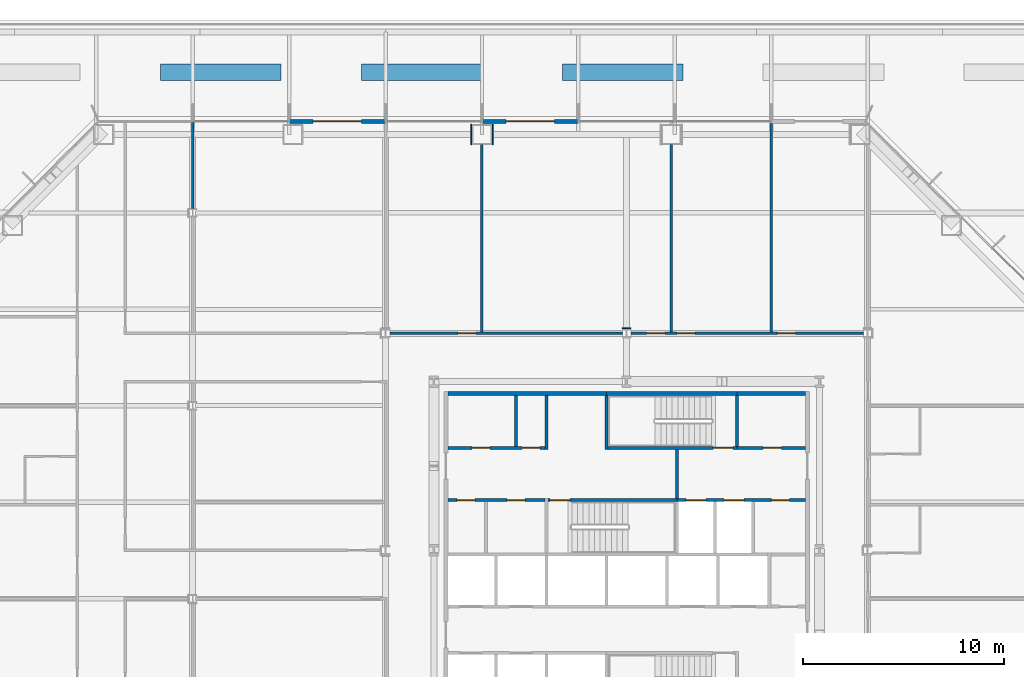
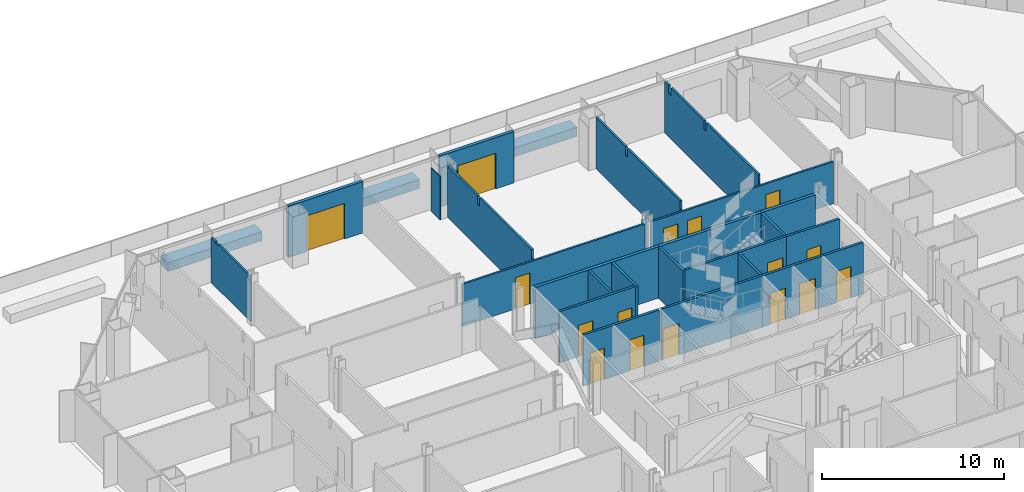
# One storey, part 14 of 18: 28 walls, 16 doors, 16 openings.
"""IFC4 building model written with IfcOpenShell, lengths in metres."""

import ifcopenshell
import ifcopenshell.guid

model = None  # the IFC model being written
_history = None  # IfcOwnerHistory: only IFC2X3 demands one
_inside = {}  # id of a spatial element -> (the spatial element, [elements in it])
_under = {}  # id of a project, library or spatial element -> (it, [spatial elements below it])
_declared = {}  # id of a project -> (the project, [libraries it declares])
_typed = {}  # id of a type object -> (the type object, [elements of that type])
_made_of = {}  # id of a material, layer set ... -> (it, [elements and type objects made of it])


def new_model(schema):
    """Start an empty IFC model of exactly this schema.

    Asked for "IFC4X3", IfcOpenShell would pick the latest addendum, in which some entities
    have other attributes; the version numbers below select the first issue.
    IFC2X3 requires an IfcOwnerHistory on every rooted entity: one is made here for all.
    """
    global model, _history
    if schema == "IFC4X3":
        model = ifcopenshell.file(schema_version=(4, 3, 0, 0))
    else:
        model = ifcopenshell.file(schema=schema)
    _inside.clear()
    _under.clear()
    _declared.clear()
    _typed.clear()
    _made_of.clear()
    _history = None
    if model.schema == "IFC2X3":
        org = make("IfcOrganization", Name="unknown")
        user = make(
            "IfcPersonAndOrganization",
            ThePerson=make("IfcPerson", FamilyName="unknown"),
            TheOrganization=org,
        )
        app = make(
            "IfcApplication",
            ApplicationDeveloper=org,
            Version="unknown",
            ApplicationFullName="unknown",
            ApplicationIdentifier="unknown",
        )
        _history = make(
            "IfcOwnerHistory",
            OwningUser=user,
            OwningApplication=app,
            ChangeAction="ADDED",
            CreationDate=0,
        )
    return model


def make(cls, **values):
    """One entity of the class cls with the attributes given. An attribute that is None is left unset."""
    return model.create_entity(
        cls, **{name: value for name, value in values.items() if value is not None}
    )


def rooted(cls, **values):
    """An entity with a GlobalId (a new one), such as an element, a storey or a relation."""
    return make(cls, GlobalId=ifcopenshell.guid.new(), OwnerHistory=_history, **values)


def si_unit(unit_type, name, prefix=None):
    """IfcSIUnit, for example si_unit("LENGTHUNIT", "METRE", prefix="MILLI")."""
    return make("IfcSIUnit", UnitType=unit_type, Prefix=prefix, Name=name)


def assignment(units):
    """IfcUnitAssignment: the units of a project."""
    return None if units is None else make("IfcUnitAssignment", Units=units)


def point(xyz):
    """IfcCartesianPoint."""
    return None if xyz is None else make("IfcCartesianPoint", Coordinates=xyz)


def direction(xyz):
    """IfcDirection."""
    return None if xyz is None else make("IfcDirection", DirectionRatios=xyz)


def frame(location, z_axis=None, x_axis=None):
    """IfcAxis2Placement3D, a coordinate frame: its origin and axes. An axis left out is left unset."""
    return make(
        "IfcAxis2Placement3D",
        Location=point(location),
        Axis=direction(z_axis),
        RefDirection=direction(x_axis),
    )


def frame_2d(location, x_axis=None):
    """IfcAxis2Placement2D, a coordinate frame in the plane: its origin and x axis."""
    return make(
        "IfcAxis2Placement2D", Location=point(location), RefDirection=direction(x_axis)
    )


def origin():
    """The frame at (0, 0, 0) with its axes left unset."""
    return frame((0.0, 0.0, 0.0))


def place(relative_to, where):
    """IfcLocalPlacement: puts the frame where relative to a parent placement (None: the world)."""
    return make(
        "IfcLocalPlacement", PlacementRelTo=relative_to, RelativePlacement=where
    )


def context(
    kind, dimensions, precision=None, world=None, true_north=None, identifier=None
):
    """IfcGeometricRepresentationContext, for example the 3D "Model" context."""
    return make(
        "IfcGeometricRepresentationContext",
        ContextIdentifier=identifier,
        ContextType=kind,
        CoordinateSpaceDimension=dimensions,
        Precision=precision,
        WorldCoordinateSystem=world,
        TrueNorth=true_north,
    )


def subcontext(parent, identifier, kind, view, scale=None):
    """IfcGeometricRepresentationSubContext, for example "Body" below "Model"."""
    return make(
        "IfcGeometricRepresentationSubContext",
        ContextIdentifier=identifier,
        ContextType=kind,
        ParentContext=parent,
        TargetScale=scale,
        TargetView=view,
    )


def project(units=None, contexts=None):
    """IfcProject with its units and contexts."""
    return rooted(
        "IfcProject",
        Name="project",
        RepresentationContexts=contexts,
        UnitsInContext=assignment(units),
    )


def spatial(cls, under=None, at=None, **own):
    """A site, building, storey or space (cls), placed at a placement, below another one or the project."""
    s = rooted(cls, ObjectPlacement=at, **own)
    if under is not None:
        _under.setdefault(under.id(), (under, []))[1].append(s)
    return s


def polyline(points):
    """IfcPolyline through the points."""
    return make("IfcPolyline", Points=[point(p) for p in points])


def profile(cls, at=None, kind="AREA", **sizes):
    """A parametric profile (cls). Its sizes go by their IFC names, for example OverallWidth=200.0."""
    return make(cls, ProfileType=kind, Position=at, **sizes)


def rectangle(**sizes):
    """IfcRectangleProfileDef."""
    return profile("IfcRectangleProfileDef", **sizes)


def outline(outer, holes=None, kind="AREA"):
    """IfcArbitraryClosedProfileDef: a profile drawn as a closed curve; with holes, ...WithVoids."""
    if holes is None:
        return make("IfcArbitraryClosedProfileDef", ProfileType=kind, OuterCurve=outer)
    return make(
        "IfcArbitraryProfileDefWithVoids",
        ProfileType=kind,
        OuterCurve=outer,
        InnerCurves=holes,
    )


def extrude(swept, where, along, depth):
    """IfcExtrudedAreaSolid: the profile swept, set in the frame where, extruded along a direction by depth."""
    return make(
        "IfcExtrudedAreaSolid",
        SweptArea=swept,
        Position=where,
        ExtrudedDirection=direction(along),
        Depth=depth,
    )


def shape(context_of_items, identifier, shape_type, items):
    """IfcShapeRepresentation: the items that make up one representation, for example the "Body"."""
    return make(
        "IfcShapeRepresentation",
        ContextOfItems=context_of_items,
        RepresentationIdentifier=identifier,
        RepresentationType=shape_type,
        Items=items,
    )


def material(Name=None, Category=None):
    """IfcMaterial."""
    return make("IfcMaterial", Name=Name, Category=Category)


def layer(
    of_material, thickness, ventilated=None, Name=None, Category=None, Priority=None
):
    """IfcMaterialLayer: one layer of a wall or slab, of a material (None: an air gap)."""
    return make(
        "IfcMaterialLayer",
        Material=of_material,
        LayerThickness=thickness,
        IsVentilated=ventilated,
        Name=Name,
        Category=Category,
        Priority=Priority,
    )


def layer_set(layers, Name=None):
    """IfcMaterialLayerSet."""
    return make("IfcMaterialLayerSet", MaterialLayers=layers, LayerSetName=Name)


def made_of(thing, what):
    """Note that an element or type object is made of a material, layer set ...; save() writes the relation."""
    if what is not None:
        _made_of.setdefault(what.id(), (what, []))[1].append(thing)
    return thing


def type_object(cls, material=None, **own):
    """A type object (cls), such as IfcWallType, which elements share."""
    return made_of(rooted(cls, **own), material)


def element(
    cls,
    number,
    at=None,
    inside=None,
    cuts=None,
    type_object=None,
    material=None,
    context=None,
    identifier="Body",
    shape_type=None,
    held_by="IfcProductDefinitionShape",
    body=None,
    shapes=None,
    **own,
):
    """One element of the class cls, such as IfcWall. Its Tag is "e" and its number.

    at: its placement. inside: the storey or other place that contains it. cuts: it is an
    opening in that element (IfcRelVoidsElement). A single representation is given by context,
    identifier, shape_type and body (its items); several are given by shapes. held_by: the class
    of the entity that holds the representations. save() writes the other relations.
    """
    e = rooted(cls, Tag="e%d" % number, ObjectPlacement=at, **own)
    if body is not None:
        shapes = [shape(context, identifier, shape_type, body)]
    if shapes is not None:
        e.Representation = make(held_by, Representations=shapes)
    if inside is not None:
        _inside.setdefault(inside.id(), (inside, []))[1].append(e)
    if cuts is not None:
        rooted(
            "IfcRelVoidsElement", RelatingBuildingElement=cuts, RelatedOpeningElement=e
        )
    if type_object is not None:
        _typed.setdefault(type_object.id(), (type_object, []))[1].append(e)
    return made_of(e, material)


def fill(opening, filler):
    """IfcRelFillsElement: the door or window that sits in an opening."""
    return rooted(
        "IfcRelFillsElement",
        RelatingOpeningElement=opening,
        RelatedBuildingElement=filler,
    )


def aggregate(whole, parts):
    """IfcRelAggregates: a whole, such as a stair, and the parts it consists of."""
    return rooted("IfcRelAggregates", RelatingObject=whole, RelatedObjects=parts)


def save(model, path):
    """Write the relations noted so far, then the file.

    IfcRelAggregates (storeys below a building ...), IfcRelContainedInSpatialStructure (elements
    in a storey), IfcRelDefinesByType, IfcRelAssociatesMaterial and IfcRelDeclares: one each for
    every whole, place, type object, material and project.
    """
    for whole, parts in _under.values():
        aggregate(whole, parts)
    for where, things in _inside.values():
        rooted(
            "IfcRelContainedInSpatialStructure",
            RelatedElements=things,
            RelatingStructure=where,
        )
    for kind, things in _typed.values():
        rooted("IfcRelDefinesByType", RelatedObjects=things, RelatingType=kind)
    for what, things in _made_of.values():
        rooted("IfcRelAssociatesMaterial", RelatedObjects=things, RelatingMaterial=what)
    for by, libraries in _declared.values():
        rooted("IfcRelDeclares", RelatingContext=by, RelatedDefinitions=libraries)
    model.write(path)


model = new_model("IFC4")

# Units and contexts
model_context = context("Model", 3, precision=1e-05, world=origin(), true_north=direction((0.0, 1.0)))
body_context = subcontext(model_context, "Body", "Model", "MODEL_VIEW")
ifc_project = project(units=[si_unit("LENGTHUNIT", "METRE"), si_unit("AREAUNIT", "SQUARE_METRE"), si_unit("VOLUMEUNIT", "CUBIC_METRE"), si_unit("PLANEANGLEUNIT", "RADIAN"), si_unit("MASSUNIT", "GRAM", prefix="KILO")], contexts=[model_context])

# Site, building, storey
site_placement = place(None, origin())
site = spatial("IfcSite", under=ifc_project, at=site_placement, CompositionType="ELEMENT")
building_placement = place(site_placement, origin())
building = spatial("IfcBuilding", under=site, at=building_placement, Name="Cairn Pilgrim Tower", CompositionType="ELEMENT")
storey_placement = place(building_placement, frame((0.0, 0.0, 40.199951171875)))
storey = spatial("IfcBuildingStorey", under=building, at=storey_placement, Name="L07", CompositionType="ELEMENT", Elevation=40.199951171875)

# Wall, opening, door
ifc_material_1 = material(Name="Bronze anodised aluminium insulated sandwich panel with mineral wool fill", Category="aluminium")
ifc_layer_1 = layer(ifc_material_1, 0.199951171875)
ifc_layer_set_1 = layer_set([ifc_layer_1], Name="BRONZE INFILL FRAME WALL 200")
wall_type_1 = type_object("IfcWallType", Name="BRONZE INFILL FRAME WALL 200", PredefinedType="NOTDEFINED", material=ifc_layer_set_1)
wall_1_placement = place(storey_placement, frame((4.77001953125, 23.75, 0.0), z_axis=(0.0, 0.0, 1.0), x_axis=(-1.0, 0.0, 0.0)))
wall_1 = element("IfcWall", 1, at=wall_1_placement, inside=storey, type_object=wall_type_1, Name="Bronze infill frame wall IW-N4", PredefinedType="NOTDEFINED", context=body_context, shape_type="SweptSolid", body=[
    extrude(rectangle(XDim=4.739990234375, YDim=0.199951171875, at=frame_2d((2.3701171875, 0.0))), origin(), (0.0, 0.0, 1.0), 3.449951171875),
])
opening_1_placement = place(wall_1_placement, frame((1.169921875, 0.0, 0.0)))
opening_1 = element("IfcOpeningElement", 2, at=opening_1_placement, cuts=wall_1, Name="Opening 0718B", PredefinedType="OPENING", context=body_context, shape_type="SweptSolid", body=[
    extrude(rectangle(XDim=2.39990234375, YDim=2.39990234375, at=frame_2d((1.199951171875, 1.199951171875))), frame((0.0, 0.10986328125, 0.0), z_axis=(0.0, -1.0, 0.0), x_axis=(1.0, 0.0, 0.0)), (0.0, 0.0, 1.0), 0.219970703125),
])
ifc_material_2 = material(Name="Bronze anodised aluminium frame with tinted low-E glass", Category="aluminium")
door_type_1 = type_object("IfcDoorType", Name="BALCONY SLIDING DOOR 2400x2400", OperationType="DOUBLE_DOOR_SLIDING", PredefinedType="DOOR", material=ifc_material_2)
door_1_placement = place(opening_1_placement, origin())
door_1 = element("IfcDoor", 3, at=door_1_placement, inside=storey, type_object=door_type_1, Name="Balcony sliding door 0718B", OperationType="SINGLE_SWING_LEFT", OverallHeight=2.39990234375, OverallWidth=2.39990234375, PredefinedType="DOOR", context=body_context, shape_type="SweptSolid", body=[
    extrude(rectangle(XDim=2.39990234375, YDim=2.39990234375, at=frame_2d((1.199951171875, 1.199951171875))), frame((0.0, 0.02490234375, 0.0), z_axis=(0.0, -1.0, 0.0), x_axis=(1.0, 0.0, 0.0)), (0.0, 0.0, 1.0), 0.050048828125),
])
fill(opening_1, door_1)

wall_2_placement = place(storey_placement, frame((-4.830078125, 23.75, 0.0), z_axis=(0.0, 0.0, 1.0), x_axis=(-1.0, 0.0, 0.0)))
wall_2 = element("IfcWall", 4, at=wall_2_placement, inside=storey, type_object=wall_type_1, Name="Bronze infill frame wall IW-N6", PredefinedType="NOTDEFINED", context=body_context, shape_type="SweptSolid", body=[
    extrude(rectangle(XDim=4.739990234375, YDim=0.199951171875, at=frame_2d((2.3701171875, 0.0))), origin(), (0.0, 0.0, 1.0), 3.449951171875),
])
opening_2_placement = place(wall_2_placement, frame((1.169921875, 0.0, 0.0)))
opening_2 = element("IfcOpeningElement", 5, at=opening_2_placement, cuts=wall_2, Name="Opening 0716B", PredefinedType="OPENING", context=body_context, shape_type="SweptSolid", body=[
    extrude(rectangle(XDim=2.39990234375, YDim=2.39990234375, at=frame_2d((1.199951171875, 1.199951171875))), frame((0.0, 0.10986328125, 0.0), z_axis=(0.0, -1.0, 0.0), x_axis=(1.0, 0.0, 0.0)), (0.0, 0.0, 1.0), 0.219970703125),
])
door_2_placement = place(opening_2_placement, origin())
door_2 = element("IfcDoor", 6, at=door_2_placement, inside=storey, type_object=door_type_1, Name="Balcony sliding door 0716B", OperationType="SINGLE_SWING_LEFT", OverallHeight=2.39990234375, OverallWidth=2.39990234375, PredefinedType="DOOR", context=body_context, shape_type="SweptSolid", body=[
    extrude(rectangle(XDim=2.39990234375, YDim=2.39990234375, at=frame_2d((1.199951171875, 1.199951171875))), frame((0.0, 0.02490234375, 0.0), z_axis=(0.0, -1.0, 0.0), x_axis=(1.0, 0.0, 0.0)), (0.0, 0.0, 1.0), 0.050048828125),
])
fill(opening_2, door_2)

# Walls
ifc_material_3 = material(Name="Concrete C32/40", Category="concrete")
ifc_layer_2 = layer(ifc_material_3, 0.199951171875)
ifc_layer_set_2 = layer_set([ifc_layer_2], Name="CORE OUTER WALL 200 EI 120")
wall_type_2 = type_object("IfcWallType", Name="CORE OUTER WALL 200 EI 120", PredefinedType="SOLIDWALL", material=ifc_layer_set_2)
wall_3_placement = place(storey_placement, frame((-1.699951171875, 10.199951171875, 0.0), z_axis=(0.0, 0.0, 1.0), x_axis=(1.0, 0.0, 0.0)))
element("IfcWall", 7, at=wall_3_placement, inside=storey, type_object=wall_type_2, Name="CW:L07:H11-1", PredefinedType="SOLIDWALL", context=body_context, shape_type="SweptSolid", body=[
    extrude(rectangle(XDim=7.89990234375, YDim=0.199951171875, at=frame_2d((3.949951171875, 0.0))), origin(), (0.0, 0.0, 1.0), 3.449951171875),
])
wall_4_placement = place(storey_placement, frame((12.699951171875, 10.199951171875, 0.0), z_axis=(0.0, 0.0, 1.0), x_axis=(1.0, 0.0, 0.0)))
element("IfcWall", 8, at=wall_4_placement, inside=storey, type_object=wall_type_2, Name="CW:L07:H11-3", PredefinedType="SOLIDWALL", context=body_context, shape_type="SweptSolid", body=[
    extrude(rectangle(XDim=3.400146484375, YDim=0.199951171875, at=frame_2d((1.7001953125, 0.0))), origin(), (0.0, 0.0, 1.0), 3.449951171875),
])

# Wall, openings, doors
ifc_layer_3 = layer(ifc_material_3, 0.14990234375)
ifc_layer_set_3 = layer_set([ifc_layer_3], Name="CORE PARTITION 150 EI 60")
wall_type_3 = type_object("IfcWallType", Name="CORE PARTITION 150 EI 60", PredefinedType="PARTITIONING", material=ifc_layer_set_3)
wall_5_placement = place(storey_placement, frame((-1.699951171875, 4.89990234375, 0.0), z_axis=(0.0, 0.0, 1.0), x_axis=(1.0, 0.0, 0.0)))
wall_5 = element("IfcWall", 9, at=wall_5_placement, inside=storey, type_object=wall_type_3, Name="CW:L07:H07", PredefinedType="PARTITIONING", context=body_context, shape_type="SweptSolid", body=[
    extrude(rectangle(XDim=4.824951171875, YDim=0.14990234375, at=frame_2d((2.41259765625, 0.0))), origin(), (0.0, 0.0, 1.0), 3.449951171875),
])
opening_3_placement = place(wall_5_placement, frame((0.449951171875, 0.0, 0.0)))
opening_3 = element("IfcOpeningElement", 10, at=opening_3_placement, cuts=wall_5, Name="Opening RD-R3W1", PredefinedType="OPENING", context=body_context, shape_type="SweptSolid", body=[
    extrude(rectangle(XDim=0.89990234375, YDim=2.10009765625, at=frame_2d((0.449951171875, 1.050048828125))), frame((0.0, 0.0849609375, 0.0), z_axis=(0.0, -1.0, 0.0), x_axis=(1.0, 0.0, 0.0)), (0.0, 0.0, 1.0), 0.169921875),
])
opening_4_placement = place(wall_5_placement, frame((2.949951171875, 0.0, 0.0)))
opening_4 = element("IfcOpeningElement", 11, at=opening_4_placement, cuts=wall_5, Name="Opening RD-R3W2", PredefinedType="OPENING", context=body_context, shape_type="SweptSolid", body=[
    extrude(rectangle(XDim=0.89990234375, YDim=2.10009765625, at=frame_2d((0.449951171875, 1.050048828125))), frame((0.0, 0.0849609375, 0.0), z_axis=(0.0, -1.0, 0.0), x_axis=(1.0, 0.0, 0.0)), (0.0, 0.0, 1.0), 0.169921875),
])
ifc_material_4 = material(Name="Painted steel", Category="steel")
door_type_2 = type_object("IfcDoorType", Name="SERVICE ROOM DOOR 900x2100", OperationType="SINGLE_SWING_LEFT", PredefinedType="DOOR", material=ifc_material_4)
door_3_placement = place(opening_3_placement, origin())
door_3 = element("IfcDoor", 12, at=door_3_placement, inside=storey, type_object=door_type_2, Name="RD-R3W1", OperationType="SINGLE_SWING_LEFT", OverallHeight=2.10009765625, OverallWidth=0.89990234375, PredefinedType="DOOR", context=body_context, shape_type="SweptSolid", body=[
    extrude(rectangle(XDim=0.89990234375, YDim=2.10009765625, at=frame_2d((0.449951171875, 1.050048828125))), frame((0.0, 0.02490234375, 0.0), z_axis=(0.0, -1.0, 0.0), x_axis=(1.0, 0.0, 0.0)), (0.0, 0.0, 1.0), 0.050048828125),
])
fill(opening_3, door_3)
door_4_placement = place(opening_4_placement, origin())
door_4 = element("IfcDoor", 13, at=door_4_placement, inside=storey, type_object=door_type_2, Name="RD-R3W2", OperationType="SINGLE_SWING_RIGHT", OverallHeight=2.10009765625, OverallWidth=0.89990234375, PredefinedType="DOOR", context=body_context, shape_type="SweptSolid", body=[
    extrude(rectangle(XDim=0.89990234375, YDim=2.10009765625, at=frame_2d((0.449951171875, 1.050048828125))), frame((0.0, 0.02490234375, 0.0), z_axis=(0.0, -1.0, 0.0), x_axis=(1.0, 0.0, 0.0)), (0.0, 0.0, 1.0), 0.050048828125),
])
fill(opening_4, door_4)

wall_6_placement = place(storey_placement, frame((-1.699951171875, 7.5, 0.0), z_axis=(0.0, 0.0, 1.0), x_axis=(1.0, 0.0, 0.0)))
wall_6 = element("IfcWall", 14, at=wall_6_placement, inside=storey, type_object=wall_type_3, Name="CW:L07:H09", PredefinedType="PARTITIONING", context=body_context, shape_type="SweptSolid", body=[
    extrude(rectangle(XDim=4.824951171875, YDim=0.14990234375, at=frame_2d((2.41259765625, 0.0))), origin(), (0.0, 0.0, 1.0), 3.449951171875),
])
opening_5_placement = place(wall_6_placement, frame((1.199951171875, 0.0, 0.0)))
opening_5 = element("IfcOpeningElement", 15, at=opening_5_placement, cuts=wall_6, Name="Opening RD-R4W1", PredefinedType="OPENING", context=body_context, shape_type="SweptSolid", body=[
    extrude(rectangle(XDim=0.89990234375, YDim=2.10009765625, at=frame_2d((0.449951171875, 1.050048828125))), frame((0.0, 0.0849609375, 0.0), z_axis=(0.0, -1.0, 0.0), x_axis=(1.0, 0.0, 0.0)), (0.0, 0.0, 1.0), 0.169921875),
])
opening_6_placement = place(wall_6_placement, frame((3.699951171875, 0.0, 0.0)))
opening_6 = element("IfcOpeningElement", 16, at=opening_6_placement, cuts=wall_6, Name="Opening RD-R4W2", PredefinedType="OPENING", context=body_context, shape_type="SweptSolid", body=[
    extrude(rectangle(XDim=0.89990234375, YDim=2.10009765625, at=frame_2d((0.449951171875, 1.050048828125))), frame((0.0, 0.0849609375, 0.0), z_axis=(0.0, -1.0, 0.0), x_axis=(1.0, 0.0, 0.0)), (0.0, 0.0, 1.0), 0.169921875),
])
door_5_placement = place(opening_5_placement, origin())
door_5 = element("IfcDoor", 17, at=door_5_placement, inside=storey, type_object=door_type_2, Name="RD-R4W1", OperationType="SINGLE_SWING_LEFT", OverallHeight=2.10009765625, OverallWidth=0.89990234375, PredefinedType="DOOR", context=body_context, shape_type="SweptSolid", body=[
    extrude(rectangle(XDim=0.89990234375, YDim=2.10009765625, at=frame_2d((0.449951171875, 1.050048828125))), frame((0.0, 0.02490234375, 0.0), z_axis=(0.0, -1.0, 0.0), x_axis=(1.0, 0.0, 0.0)), (0.0, 0.0, 1.0), 0.050048828125),
])
fill(opening_5, door_5)
door_6_placement = place(opening_6_placement, origin())
door_6 = element("IfcDoor", 18, at=door_6_placement, inside=storey, type_object=door_type_2, Name="RD-R4W2", OperationType="SINGLE_SWING_RIGHT", OverallHeight=2.10009765625, OverallWidth=0.89990234375, PredefinedType="DOOR", context=body_context, shape_type="SweptSolid", body=[
    extrude(rectangle(XDim=0.89990234375, YDim=2.10009765625, at=frame_2d((0.449951171875, 1.050048828125))), frame((0.0, 0.02490234375, 0.0), z_axis=(0.0, -1.0, 0.0), x_axis=(1.0, 0.0, 0.0)), (0.0, 0.0, 1.0), 0.050048828125),
])
fill(opening_6, door_6)

# Walls
wall_7_placement = place(storey_placement, frame((1.699951171875, 7.574951171875, 0.0), z_axis=(0.0, 0.0, 1.0), x_axis=(0.0, 1.0, 0.0)))
element("IfcWall", 19, at=wall_7_placement, inside=storey, type_object=wall_type_3, Name="CW:L07:V16", PredefinedType="PARTITIONING", context=body_context, shape_type="SweptSolid", body=[
    extrude(rectangle(XDim=2.525146484375, YDim=0.14990234375, at=frame_2d((1.2626953125, 0.0))), origin(), (0.0, 0.0, 1.0), 3.449951171875),
])
wall_8_placement = place(storey_placement, frame((3.199951171875, 7.425048828125, 0.0), z_axis=(0.0, 0.0, 1.0), x_axis=(0.0, 1.0, 0.0)))
element("IfcWall", 20, at=wall_8_placement, inside=storey, type_object=wall_type_3, Name="CW:L07:V20", PredefinedType="PARTITIONING", context=body_context, shape_type="SweptSolid", body=[
    extrude(rectangle(XDim=2.675048828125, YDim=0.14990234375, at=frame_2d((1.33740234375, 0.0))), origin(), (0.0, 0.0, 1.0), 3.449951171875),
])

# Wall, openings, doors
ifc_layer_4 = layer(ifc_material_3, 0.14990234375)
ifc_layer_set_4 = layer_set([ifc_layer_4], Name="CORE SHAFT WALL 150 EI 120")
wall_type_4 = type_object("IfcWallType", Name="CORE SHAFT WALL 150 EI 120", PredefinedType="SOLIDWALL", material=ifc_layer_set_4)
wall_9_placement = place(storey_placement, frame((9.699951171875, 4.89990234375, 0.0), z_axis=(0.0, 0.0, 1.0), x_axis=(1.0, 0.0, 0.0)))
wall_9 = element("IfcWall", 21, at=wall_9_placement, inside=storey, type_object=wall_type_4, Name="CW:L07:H08-2", PredefinedType="SOLIDWALL", context=body_context, shape_type="SweptSolid", body=[
    extrude(rectangle(XDim=6.400146484375, YDim=0.14990234375, at=frame_2d((3.2001953125, 0.0))), origin(), (0.0, 0.0, 1.0), 3.449951171875),
])
opening_7_placement = place(wall_9_placement, frame((0.449951171875, 0.0, 0.0)))
opening_7 = element("IfcOpeningElement", 22, at=opening_7_placement, cuts=wall_9, Name="Opening LD-FF1", PredefinedType="OPENING", context=body_context, shape_type="SweptSolid", body=[
    extrude(rectangle(XDim=1.0, YDim=2.10009765625, at=frame_2d((0.5, 1.050048828125))), frame((0.0, 0.0849609375, 0.0), z_axis=(0.0, -1.0, 0.0), x_axis=(1.0, 0.0, 0.0)), (0.0, 0.0, 1.0), 0.169921875),
])
opening_8_placement = place(wall_9_placement, frame((2.35009765625, 0.0, 0.0)))
opening_8 = element("IfcOpeningElement", 23, at=opening_8_placement, cuts=wall_9, Name="Opening LD-FF2", PredefinedType="OPENING", context=body_context, shape_type="SweptSolid", body=[
    extrude(rectangle(XDim=1.0, YDim=2.10009765625, at=frame_2d((0.5, 1.050048828125))), frame((0.0, 0.0849609375, 0.0), z_axis=(0.0, -1.0, 0.0), x_axis=(1.0, 0.0, 0.0)), (0.0, 0.0, 1.0), 0.169921875),
])
opening_9_placement = place(wall_9_placement, frame((4.699951171875, 0.0, 0.0)))
opening_9 = element("IfcOpeningElement", 24, at=opening_9_placement, cuts=wall_9, Name="Opening RD-R3E", PredefinedType="OPENING", context=body_context, shape_type="SweptSolid", body=[
    extrude(rectangle(XDim=0.89990234375, YDim=2.10009765625, at=frame_2d((0.449951171875, 1.050048828125))), frame((0.0, 0.0849609375, 0.0), z_axis=(0.0, -1.0, 0.0), x_axis=(1.0, 0.0, 0.0)), (0.0, 0.0, 1.0), 0.169921875),
])
ifc_material_5 = material(Name="Stainless steel", Category="steel")
door_type_3 = type_object("IfcDoorType", Name="LIFT LANDING DOOR FIRE 1000x2100", OperationType="DOUBLE_DOOR_SLIDING", PredefinedType="DOOR", material=ifc_material_5)
door_7_placement = place(opening_7_placement, origin())
door_7 = element("IfcDoor", 25, at=door_7_placement, inside=storey, type_object=door_type_3, Name="LANDING DOOR FF1", OperationType="DOUBLE_DOOR_SLIDING", OverallHeight=2.10009765625, OverallWidth=1.0, PredefinedType="DOOR", context=body_context, shape_type="SweptSolid", body=[
    extrude(rectangle(XDim=1.0, YDim=2.10009765625, at=frame_2d((0.5, 1.050048828125))), frame((0.0, 0.02490234375, 0.0), z_axis=(0.0, -1.0, 0.0), x_axis=(1.0, 0.0, 0.0)), (0.0, 0.0, 1.0), 0.050048828125),
])
fill(opening_7, door_7)
door_8_placement = place(opening_8_placement, origin())
door_8 = element("IfcDoor", 26, at=door_8_placement, inside=storey, type_object=door_type_3, Name="LANDING DOOR FF2", OperationType="DOUBLE_DOOR_SLIDING", OverallHeight=2.10009765625, OverallWidth=1.0, PredefinedType="DOOR", context=body_context, shape_type="SweptSolid", body=[
    extrude(rectangle(XDim=1.0, YDim=2.10009765625, at=frame_2d((0.5, 1.050048828125))), frame((0.0, 0.02490234375, 0.0), z_axis=(0.0, -1.0, 0.0), x_axis=(1.0, 0.0, 0.0)), (0.0, 0.0, 1.0), 0.050048828125),
])
fill(opening_8, door_8)
door_9_placement = place(opening_9_placement, origin())
door_9 = element("IfcDoor", 27, at=door_9_placement, inside=storey, type_object=door_type_2, Name="RD-R3E", OperationType="SINGLE_SWING_LEFT", OverallHeight=2.10009765625, OverallWidth=0.89990234375, PredefinedType="DOOR", context=body_context, shape_type="SweptSolid", body=[
    extrude(rectangle(XDim=0.89990234375, YDim=2.10009765625, at=frame_2d((0.449951171875, 1.050048828125))), frame((0.0, 0.02490234375, 0.0), z_axis=(0.0, -1.0, 0.0), x_axis=(1.0, 0.0, 0.0)), (0.0, 0.0, 1.0), 0.050048828125),
])
fill(opening_9, door_9)

# Wall, opening, door
wall_10_placement = place(storey_placement, frame((12.699951171875, 7.5, 0.0), z_axis=(0.0, 0.0, 1.0), x_axis=(1.0, 0.0, 0.0)))
wall_10 = element("IfcWall", 28, at=wall_10_placement, inside=storey, type_object=wall_type_4, Name="CW:L07:H10-2", PredefinedType="SOLIDWALL", context=body_context, shape_type="SweptSolid", body=[
    extrude(rectangle(XDim=3.400146484375, YDim=0.14990234375, at=frame_2d((1.7001953125, 0.0))), origin(), (0.0, 0.0, 1.0), 3.449951171875),
])
opening_10_placement = place(wall_10_placement, frame((1.300048828125, 0.0, 0.0)))
opening_10 = element("IfcOpeningElement", 29, at=opening_10_placement, cuts=wall_10, Name="Opening RD-R4E", PredefinedType="OPENING", context=body_context, shape_type="SweptSolid", body=[
    extrude(rectangle(XDim=0.89990234375, YDim=2.10009765625, at=frame_2d((0.449951171875, 1.050048828125))), frame((0.0, 0.0849609375, 0.0), z_axis=(0.0, -1.0, 0.0), x_axis=(1.0, 0.0, 0.0)), (0.0, 0.0, 1.0), 0.169921875),
])
door_10_placement = place(opening_10_placement, origin())
door_10 = element("IfcDoor", 30, at=door_10_placement, inside=storey, type_object=door_type_2, Name="RD-R4E", OperationType="SINGLE_SWING_RIGHT", OverallHeight=2.10009765625, OverallWidth=0.89990234375, PredefinedType="DOOR", context=body_context, shape_type="SweptSolid", body=[
    extrude(rectangle(XDim=0.89990234375, YDim=2.10009765625, at=frame_2d((0.449951171875, 1.050048828125))), frame((0.0, 0.02490234375, 0.0), z_axis=(0.0, -1.0, 0.0), x_axis=(1.0, 0.0, 0.0)), (0.0, 0.0, 1.0), 0.050048828125),
])
fill(opening_10, door_10)

# Wall
wall_11_placement = place(storey_placement, frame((9.699951171875, 4.97509765625, 0.0), z_axis=(0.0, 0.0, 1.0), x_axis=(0.0, 1.0, 0.0)))
element("IfcWall", 31, at=wall_11_placement, inside=storey, type_object=wall_type_4, Name="CW:L07:V26", PredefinedType="SOLIDWALL", context=body_context, shape_type="SweptSolid", body=[
    extrude(rectangle(XDim=2.449951171875, YDim=0.14990234375, at=frame_2d((1.22509765625, 0.0))), origin(), (0.0, 0.0, 1.0), 3.449951171875),
])

# Wall, opening, door
ifc_material_6 = material(Name="Gypsum partition")
ifc_layer_5 = layer(ifc_material_6, 0.125)
ifc_layer_set_5 = layer_set([ifc_layer_5], Name="PARTITION 125 DRYWALL EI 60")
wall_type_5 = type_object("IfcWallType", Name="PARTITION 125 DRYWALL EI 60", PredefinedType="PARTITIONING", material=ifc_layer_set_5)
wall_12_placement = place(storey_placement, frame((-4.587890625, 13.199951171875, 0.0), z_axis=(0.0, 0.0, 1.0), x_axis=(1.0, 0.0, 0.0)))
wall_12 = element("IfcWall", 32, at=wall_12_placement, inside=storey, type_object=wall_type_5, Name="PARTITION W076", PredefinedType="PARTITIONING", context=body_context, shape_type="SweptSolid", body=[
    extrude(rectangle(XDim=11.575927734375, YDim=0.125, at=frame_2d((5.7880859375, 0.0))), origin(), (0.0, 0.0, 1.0), 2.830078125),
])
opening_11_placement = place(wall_12_placement, frame((3.387939453125, 0.0, 0.0)))
opening_11 = element("IfcOpeningElement", 33, at=opening_11_placement, cuts=wall_12, Name="Opening 0717", PredefinedType="OPENING", context=body_context, shape_type="SweptSolid", body=[
    extrude(rectangle(XDim=0.89990234375, YDim=2.10009765625, at=frame_2d((0.449951171875, 1.050048828125))), frame((0.0, 0.072509765625, 0.0), z_axis=(0.0, -1.0, 0.0), x_axis=(1.0, 0.0, 0.0)), (0.0, 0.0, 1.0), 0.14501953125),
])
ifc_material_7 = material(Name="Steel-faced fire door leaf", Category="steel")
door_type_4 = type_object("IfcDoorType", Name="FIRE DOOR 900x2100 FD30S", OperationType="NOTDEFINED", PredefinedType="DOOR", material=ifc_material_7)
door_11_placement = place(opening_11_placement, origin())
door_11 = element("IfcDoor", 34, at=door_11_placement, inside=storey, type_object=door_type_4, Name="DOOR 0717", OperationType="SINGLE_SWING_RIGHT", OverallHeight=2.10009765625, OverallWidth=0.89990234375, PredefinedType="DOOR", context=body_context, shape_type="SweptSolid", body=[
    extrude(rectangle(XDim=0.89990234375, YDim=2.10009765625, at=frame_2d((0.449951171875, 1.050048828125))), frame((0.0, 0.02490234375, 0.0), z_axis=(0.0, -1.0, 0.0), x_axis=(1.0, 0.0, 0.0)), (0.0, 0.0, 1.0), 0.050048828125),
])
fill(opening_11, door_11)

# Wall, openings, doors
wall_13_placement = place(storey_placement, frame((7.412109375, 13.199951171875, 0.0), z_axis=(0.0, 0.0, 1.0), x_axis=(1.0, 0.0, 0.0)))
wall_13 = element("IfcWall", 35, at=wall_13_placement, inside=storey, type_object=wall_type_5, Name="PARTITION W077", PredefinedType="PARTITIONING", context=body_context, shape_type="SweptSolid", body=[
    extrude(rectangle(XDim=11.575927734375, YDim=0.125, at=frame_2d((5.7880859375, 0.0))), origin(), (0.0, 0.0, 1.0), 2.830078125),
])
opening_12_placement = place(wall_13_placement, frame((0.7880859375, 0.0, 0.0)))
opening_12 = element("IfcOpeningElement", 36, at=opening_12_placement, cuts=wall_13, Name="Opening 0718", PredefinedType="OPENING", context=body_context, shape_type="SweptSolid", body=[
    extrude(rectangle(XDim=0.89990234375, YDim=2.10009765625, at=frame_2d((0.449951171875, 1.050048828125))), frame((0.0, 0.072509765625, 0.0), z_axis=(0.0, -1.0, 0.0), x_axis=(1.0, 0.0, 0.0)), (0.0, 0.0, 1.0), 0.14501953125),
])
opening_13_placement = place(wall_13_placement, frame((2.302001953125, 0.0, 0.0)))
opening_13 = element("IfcOpeningElement", 37, at=opening_13_placement, cuts=wall_13, Name="Opening 0719", PredefinedType="OPENING", context=body_context, shape_type="SweptSolid", body=[
    extrude(rectangle(XDim=0.89990234375, YDim=2.10009765625, at=frame_2d((0.449951171875, 1.050048828125))), frame((0.0, 0.072509765625, 0.0), z_axis=(0.0, -1.0, 0.0), x_axis=(1.0, 0.0, 0.0)), (0.0, 0.0, 1.0), 0.14501953125),
])
opening_14_placement = place(wall_13_placement, frame((7.2880859375, 0.0, 0.0)))
opening_14 = element("IfcOpeningElement", 38, at=opening_14_placement, cuts=wall_13, Name="Opening 0720", PredefinedType="OPENING", context=body_context, shape_type="SweptSolid", body=[
    extrude(rectangle(XDim=0.89990234375, YDim=2.10009765625, at=frame_2d((0.449951171875, 1.050048828125))), frame((0.0, 0.072509765625, 0.0), z_axis=(0.0, -1.0, 0.0), x_axis=(1.0, 0.0, 0.0)), (0.0, 0.0, 1.0), 0.14501953125),
])
door_12_placement = place(opening_12_placement, origin())
door_12 = element("IfcDoor", 39, at=door_12_placement, inside=storey, type_object=door_type_4, Name="DOOR 0718", OperationType="SINGLE_SWING_LEFT", OverallHeight=2.10009765625, OverallWidth=0.89990234375, PredefinedType="DOOR", context=body_context, shape_type="SweptSolid", body=[
    extrude(rectangle(XDim=0.89990234375, YDim=2.10009765625, at=frame_2d((0.449951171875, 1.050048828125))), frame((0.0, 0.02490234375, 0.0), z_axis=(0.0, -1.0, 0.0), x_axis=(1.0, 0.0, 0.0)), (0.0, 0.0, 1.0), 0.050048828125),
])
fill(opening_12, door_12)
door_13_placement = place(opening_13_placement, origin())
door_13 = element("IfcDoor", 40, at=door_13_placement, inside=storey, type_object=door_type_4, Name="DOOR 0719", OperationType="SINGLE_SWING_RIGHT", OverallHeight=2.10009765625, OverallWidth=0.89990234375, PredefinedType="DOOR", context=body_context, shape_type="SweptSolid", body=[
    extrude(rectangle(XDim=0.89990234375, YDim=2.10009765625, at=frame_2d((0.449951171875, 1.050048828125))), frame((0.0, 0.02490234375, 0.0), z_axis=(0.0, -1.0, 0.0), x_axis=(1.0, 0.0, 0.0)), (0.0, 0.0, 1.0), 0.050048828125),
])
fill(opening_13, door_13)
door_14_placement = place(opening_14_placement, origin())
door_14 = element("IfcDoor", 41, at=door_14_placement, inside=storey, type_object=door_type_4, Name="DOOR 0720", OperationType="SINGLE_SWING_LEFT", OverallHeight=2.10009765625, OverallWidth=0.89990234375, PredefinedType="DOOR", context=body_context, shape_type="SweptSolid", body=[
    extrude(rectangle(XDim=0.89990234375, YDim=2.10009765625, at=frame_2d((0.449951171875, 1.050048828125))), frame((0.0, 0.02490234375, 0.0), z_axis=(0.0, -1.0, 0.0), x_axis=(1.0, 0.0, 0.0)), (0.0, 0.0, 1.0), 0.050048828125),
])
fill(opening_14, door_14)

# Walls
for number, where, z_axis, x_axis, name in (
    (42, (0.0, 13.262451171875, 0.0), (0.0, 0.0, 1.0), (0.0, 1.0, 0.0), "PARTITION W080"),
    (43, (9.4140625, 13.262451171875, 0.0), (0.0, 0.0, 1.0), (0.0, 1.0, 0.0), "PARTITION W081"),
):
    element("IfcWall", number, at=place(storey_placement, frame(where, z_axis=z_axis, x_axis=x_axis)), inside=storey, type_object=wall_type_5, Name=name, PredefinedType="PARTITIONING", context=body_context, shape_type="SweptSolid", body=[
        extrude(outline(polyline([(0.0, 0.0), (9.337646484375, 0.0), (9.33740234375, 3.449951171875), (6.04248046875, 3.449951171875), (6.04052734375, 2.880126953125), (5.83251953125, 2.880126953125), (5.83056640625, 3.449951171875), (0.08740234375, 3.449951171875), (0.08544921875, 2.830078125), (0.0, 2.830078125), (0.0, 0.0)])), frame((0.0, 0.0625, 0.0), z_axis=(0.0, -1.0, 0.0), x_axis=(1.0, 0.0, 0.0)), (0.0, 0.0, 1.0), 0.125),
    ])
wall_14_placement = place(storey_placement, frame((14.39990234375, 13.262451171875, 0.0), z_axis=(0.0, 0.0, 1.0), x_axis=(0.0, 1.0, 0.0)))
element("IfcWall", 44, at=wall_14_placement, inside=storey, type_object=wall_type_5, Name="PARTITION W082", PredefinedType="PARTITIONING", context=body_context, shape_type="SweptSolid", body=[
    extrude(outline(polyline([(0.0, 0.0), (10.387451171875, 0.0), (10.387451171875, 3.449951171875), (9.987548828125, 3.449951171875), (9.985595703125, 2.929931640625), (9.6875, 2.929931640625), (9.685546875, 3.449951171875), (6.04248046875, 3.449951171875), (6.04052734375, 2.880126953125), (5.83251953125, 2.880126953125), (5.83056640625, 3.449951171875), (0.08740234375, 3.449951171875), (0.08544921875, 2.830078125), (0.0, 2.830078125), (0.0, 0.0)])), frame((0.0, 0.0625, 0.0), z_axis=(0.0, -1.0, 0.0), x_axis=(1.0, 0.0, 0.0)), (0.0, 0.0, 1.0), 0.125),
])
wall_15_placement = place(storey_placement, frame((-14.39990234375, 19.41259765625, 0.0), z_axis=(0.0, 0.0, 1.0), x_axis=(0.0, 1.0, 0.0)))
element("IfcWall", 45, at=wall_15_placement, inside=storey, type_object=wall_type_5, Name="PARTITION W087", PredefinedType="PARTITIONING", context=body_context, shape_type="SweptSolid", body=[
    extrude(outline(polyline([(0.0, 0.0), (4.27734375, 0.0), (4.277587890625, 3.030029296875), (3.83740234375, 3.030029296875), (3.83544921875, 2.929931640625), (3.53759765625, 2.929931640625), (3.535400390625, 3.030029296875), (0.0, 3.030029296875), (0.0, 0.0)])), frame((0.0, 0.0625, 0.0), z_axis=(0.0, -1.0, 0.0), x_axis=(1.0, 0.0, 0.0)), (0.0, 0.0, 1.0), 0.125),
])
ifc_layer_6 = layer(ifc_material_6, 0.050048828125)
ifc_layer_set_6 = layer_set([ifc_layer_6], Name="PARTITION 50 DRYWALL EI 60")
wall_type_6 = type_object("IfcWallType", Name="PARTITION 50 DRYWALL EI 60", PredefinedType="PARTITIONING", material=ifc_layer_set_6)
wall_16_placement = place(storey_placement, frame((6.988037109375, 13.4619140625, 0.0), z_axis=(0.0, 0.0, 1.0), x_axis=(1.0, 0.0, 0.0)))
element("IfcWall", 46, at=wall_16_placement, inside=storey, type_object=wall_type_6, Name="COLUMN CASING WC32", PredefinedType="PARTITIONING", context=body_context, shape_type="SweptSolid", body=[
    extrude(rectangle(XDim=0.424072265625, YDim=0.050048828125, at=frame_2d((0.2119140625, 0.0))), origin(), (0.0, 0.0, 1.0), 2.929931640625),
])
for number, where, z_axis, x_axis, name in (
    (47, (-0.52490234375, 22.60009765625, 0.0), (0.0, 0.0, 1.0), (0.0, 1.0, 0.0), "COLUMN CASING WC37"),
    (48, (0.52490234375, 22.60009765625, 0.0), (0.0, 0.0, 1.0), (0.0, 1.0, 0.0), "COLUMN CASING WC38"),
):
    element("IfcWall", number, at=place(storey_placement, frame(where, z_axis=z_axis, x_axis=x_axis)), inside=storey, type_object=wall_type_6, Name=name, PredefinedType="PARTITIONING", context=body_context, shape_type="SweptSolid", body=[
        extrude(rectangle(XDim=1.0, YDim=0.050048828125, at=frame_2d((0.5, 0.0))), origin(), (0.0, 0.0, 1.0), 2.929931640625),
    ])
ifc_material_8 = material(Name="Concrete C35/45", Category="concrete")
ifc_layer_7 = layer(ifc_material_8, 0.800048828125)
ifc_layer_set_7 = layer_set([ifc_layer_7], Name="PLANTER TROUGH WALL 800 CONCRETE C35/45")
wall_type_7 = type_object("IfcWallType", Name="PLANTER TROUGH WALL 800 CONCRETE C35/45", PredefinedType="NOTDEFINED", material=ifc_layer_set_7)
for number, where, z_axis, x_axis, name in (
    (49, (-16.0, 26.199951171875, 0.0), (0.0, 0.0, 1.0), (1.0, 0.0, 0.0), "PLANTER"),
    (50, (-6.0, 26.199951171875, 0.0), (0.0, 0.0, 1.0), (1.0, 0.0, 0.0), "PLANTER"),
    (51, (4.0, 26.199951171875, 0.0), (0.0, 0.0, 1.0), (1.0, 0.0, 0.0), "PLANTER"),
):
    element("IfcWall", number, at=place(storey_placement, frame(where, z_axis=z_axis, x_axis=x_axis)), inside=storey, type_object=wall_type_7, Name=name, PredefinedType="NOTDEFINED", context=body_context, shape_type="SweptSolid", body=[
        extrude(rectangle(XDim=6.0, YDim=0.800048828125, at=frame_2d((3.0, 0.0))), origin(), (0.0, 0.0, 1.0), 0.60009765625),
    ])

# Wall, opening, door
ifc_layer_8 = layer(ifc_material_8, 0.14990234375)
ifc_layer_set_8 = layer_set([ifc_layer_8], Name="STAIR SHAFT WALL 150 EI 120")
wall_type_8 = type_object("IfcWallType", Name="STAIR SHAFT WALL 150 EI 120", PredefinedType="SOLIDWALL", material=ifc_layer_set_8)
wall_17_placement = place(storey_placement, frame((3.27490234375, 4.89990234375, 0.0), z_axis=(0.0, 0.0, 1.0), x_axis=(1.0, 0.0, 0.0)))
wall_17 = element("IfcWall", 52, at=wall_17_placement, inside=storey, type_object=wall_type_8, Name="CW:L07:H08-1", PredefinedType="SOLIDWALL", context=body_context, shape_type="SweptSolid", body=[
    extrude(rectangle(XDim=6.425048828125, YDim=0.14990234375, at=frame_2d((3.21240234375, 0.0))), origin(), (0.0, 0.0, 1.0), 3.449951171875),
])
opening_15_placement = place(wall_17_placement, frame((0.10009765625, 0.0, 0.0)))
opening_15 = element("IfcOpeningElement", 53, at=opening_15_placement, cuts=wall_17, Name="Opening SD-B", PredefinedType="OPENING", context=body_context, shape_type="SweptSolid", body=[
    extrude(rectangle(XDim=1.0, YDim=2.10009765625, at=frame_2d((0.5, 1.050048828125))), frame((0.0, 0.0849609375, 0.0), z_axis=(0.0, -1.0, 0.0), x_axis=(1.0, 0.0, 0.0)), (0.0, 0.0, 1.0), 0.169921875),
])
door_type_5 = type_object("IfcDoorType", Name="STAIR DOOR FD60S 1000x2100", OperationType="SINGLE_SWING_LEFT", PredefinedType="DOOR", material=ifc_material_4)
door_15_placement = place(opening_15_placement, origin())
door_15 = element("IfcDoor", 54, at=door_15_placement, inside=storey, type_object=door_type_5, Name="SD-B", OperationType="SINGLE_SWING_RIGHT", OverallHeight=2.10009765625, OverallWidth=1.0, PredefinedType="DOOR", context=body_context, shape_type="SweptSolid", body=[
    extrude(rectangle(XDim=1.0, YDim=2.10009765625, at=frame_2d((0.5, 1.050048828125))), frame((0.0, 0.02490234375, 0.0), z_axis=(0.0, -1.0, 0.0), x_axis=(1.0, 0.0, 0.0)), (0.0, 0.0, 1.0), 0.050048828125),
])
fill(opening_15, door_15)

wall_18_placement = place(storey_placement, frame((6.27490234375, 7.5, 0.0), z_axis=(0.0, 0.0, 1.0), x_axis=(1.0, 0.0, 0.0)))
wall_18 = element("IfcWall", 55, at=wall_18_placement, inside=storey, type_object=wall_type_8, Name="CW:L07:H10-1", PredefinedType="SOLIDWALL", context=body_context, shape_type="SweptSolid", body=[
    extrude(rectangle(XDim=6.425048828125, YDim=0.14990234375, at=frame_2d((3.21240234375, 0.0))), origin(), (0.0, 0.0, 1.0), 3.449951171875),
])
opening_16_placement = place(wall_18_placement, frame((5.22509765625, 0.0, 0.0)))
opening_16 = element("IfcOpeningElement", 56, at=opening_16_placement, cuts=wall_18, Name="Opening SD-C", PredefinedType="OPENING", context=body_context, shape_type="SweptSolid", body=[
    extrude(rectangle(XDim=1.0, YDim=2.10009765625, at=frame_2d((0.5, 1.050048828125))), frame((0.0, 0.0849609375, 0.0), z_axis=(0.0, -1.0, 0.0), x_axis=(1.0, 0.0, 0.0)), (0.0, 0.0, 1.0), 0.169921875),
])
door_16_placement = place(opening_16_placement, origin())
door_16 = element("IfcDoor", 57, at=door_16_placement, inside=storey, type_object=door_type_5, Name="SD-C", OperationType="SINGLE_SWING_LEFT", OverallHeight=2.10009765625, OverallWidth=1.0, PredefinedType="DOOR", context=body_context, shape_type="SweptSolid", body=[
    extrude(rectangle(XDim=1.0, YDim=2.10009765625, at=frame_2d((0.5, 1.050048828125))), frame((0.0, 0.02490234375, 0.0), z_axis=(0.0, -1.0, 0.0), x_axis=(1.0, 0.0, 0.0)), (0.0, 0.0, 1.0), 0.050048828125),
])
fill(opening_16, door_16)

# Walls
wall_19_placement = place(storey_placement, frame((6.199951171875, 7.425048828125, 0.0), z_axis=(0.0, 0.0, 1.0), x_axis=(0.0, 1.0, 0.0)))
element("IfcWall", 58, at=wall_19_placement, inside=storey, type_object=wall_type_8, Name="CW:L07:V23", PredefinedType="SOLIDWALL", context=body_context, shape_type="SweptSolid", body=[
    extrude(rectangle(XDim=2.675048828125, YDim=0.14990234375, at=frame_2d((1.33740234375, 0.0))), origin(), (0.0, 0.0, 1.0), 3.449951171875),
])
wall_20_placement = place(storey_placement, frame((12.699951171875, 7.574951171875, 0.0), z_axis=(0.0, 0.0, 1.0), x_axis=(0.0, 1.0, 0.0)))
element("IfcWall", 59, at=wall_20_placement, inside=storey, type_object=wall_type_8, Name="CW:L07:V30", PredefinedType="SOLIDWALL", context=body_context, shape_type="SweptSolid", body=[
    extrude(rectangle(XDim=2.525146484375, YDim=0.14990234375, at=frame_2d((1.2626953125, 0.0))), origin(), (0.0, 0.0, 1.0), 3.449951171875),
])
ifc_layer_9 = layer(ifc_material_8, 0.199951171875)
ifc_layer_set_9 = layer_set([ifc_layer_9], Name="STAIR SHAFT WALL 200 EI 120")
wall_type_9 = type_object("IfcWallType", Name="STAIR SHAFT WALL 200 EI 120", PredefinedType="SOLIDWALL", material=ifc_layer_set_9)
wall_21_placement = place(storey_placement, frame((6.199951171875, 10.199951171875, 0.0), z_axis=(0.0, 0.0, 1.0), x_axis=(1.0, 0.0, 0.0)))
element("IfcWall", 60, at=wall_21_placement, inside=storey, type_object=wall_type_9, Name="CW:L07:H11-2", PredefinedType="SOLIDWALL", context=body_context, shape_type="SweptSolid", body=[
    extrude(rectangle(XDim=6.5, YDim=0.199951171875, at=frame_2d((3.25, 0.0))), origin(), (0.0, 0.0, 1.0), 3.449951171875),
])

save(model, "model.ifc")
